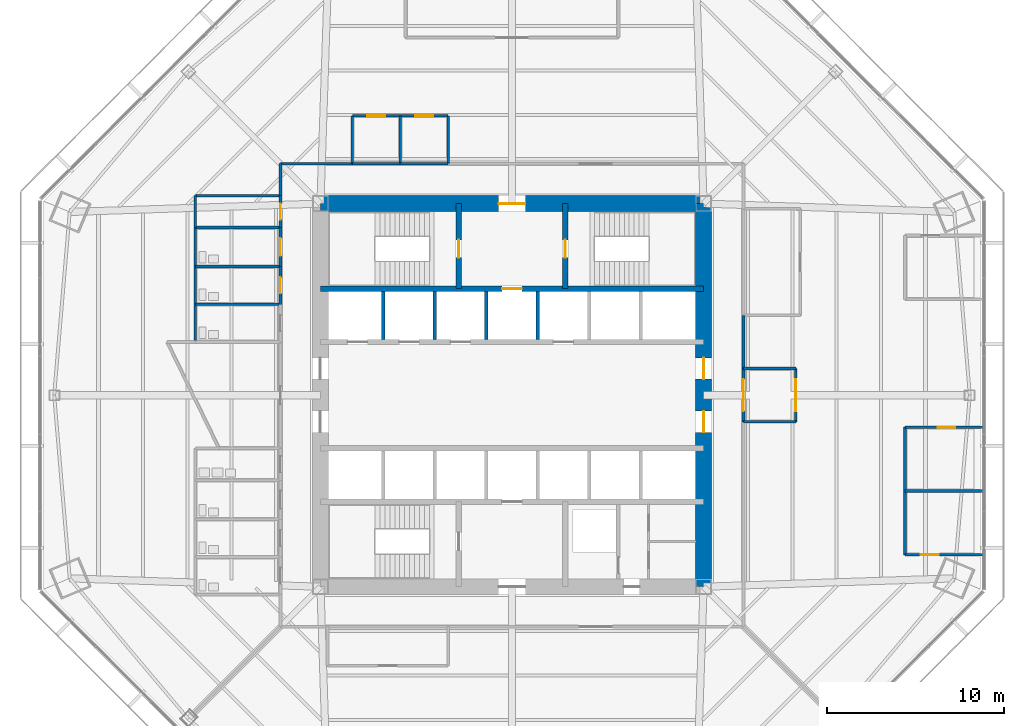
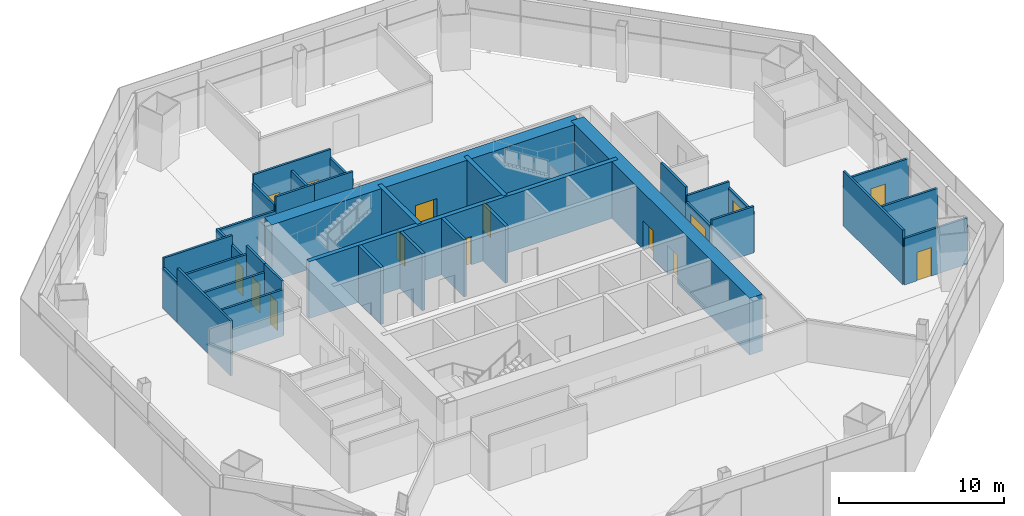
# One storey, part 9 of 13: 35 walls, 15 doors, 15 openings.
"""IFC4 building model written with IfcOpenShell, lengths in metres."""

from ifc_helpers import new_model, si_unit, direction, frame, frame_2d, origin, place, context, subcontext, project, spatial, rectangle, extrude, material, layer, layer_set, type_object, element, fill, save


model = new_model("IFC4")

# Units and contexts
model_context = context("Model", 3, precision=1e-05, world=origin(), true_north=direction((0.0, 1.0)))
body_context = subcontext(model_context, "Body", "Model", "MODEL_VIEW")
ifc_project = project(units=[si_unit("LENGTHUNIT", "METRE"), si_unit("AREAUNIT", "SQUARE_METRE"), si_unit("VOLUMEUNIT", "CUBIC_METRE"), si_unit("PLANEANGLEUNIT", "RADIAN"), si_unit("MASSUNIT", "GRAM", prefix="KILO")], contexts=[model_context])

# Site, building, storey
site_placement = place(None, origin())
site = spatial("IfcSite", under=ifc_project, at=site_placement, CompositionType="ELEMENT")
building_placement = place(site_placement, origin())
building = spatial("IfcBuilding", under=site, at=building_placement, Name="Mashrafa Tower", CompositionType="ELEMENT")
storey_placement = place(building_placement, frame((0.0, 0.0, 49.800048828125)))
storey = spatial("IfcBuildingStorey", under=building, at=storey_placement, Name="L10", CompositionType="ELEMENT", Elevation=49.800048828125)

# Wall, opening, door
ifc_material_1 = material(Name="Concrete C60/75", Category="concrete")
ifc_layer_1 = layer(ifc_material_1, 0.300048828125)
ifc_layer_set_1 = layer_set([ifc_layer_1], Name="Core wall 300 C60/75")
wall_type_1 = type_object("IfcWallType", Name="Core wall 300 C60/75", PredefinedType="SOLIDWALL", material=ifc_layer_set_1)
wall_1_placement = place(storey_placement, frame((-10.800048828125, 6.0, 0.0), z_axis=(0.0, 0.0, 1.0), x_axis=(1.0, 0.0, 0.0)))
wall_1 = element("IfcWall", 1, at=wall_1_placement, inside=storey, type_object=wall_type_1, Name="Core wall CB-N L10", PredefinedType="SOLIDWALL", context=body_context, shape_type="SweptSolid", body=[
    extrude(rectangle(XDim=21.60009765625, YDim=0.300048828125, at=frame_2d((10.800048828125, 0.0))), origin(), (0.0, 0.0, 1.0), 4.199951171875),
])
opening_1_placement = place(wall_1_placement, frame((10.25, 0.0, 0.0)))
opening_1 = element("IfcOpeningElement", 2, at=opening_1_placement, cuts=wall_1, Name="Opening 10.F1", PredefinedType="OPENING", context=body_context, shape_type="SweptSolid", body=[
    extrude(rectangle(XDim=1.10009765625, YDim=2.10009765625, at=frame_2d((0.550048828125, 1.050048828125))), frame((0.0, 0.159912109375, 0.0), z_axis=(0.0, -1.0, 0.0), x_axis=(1.0, 0.0, 0.0)), (0.0, 0.0, 1.0), 0.320068359375),
])
ifc_material_2 = material(Name="Steel door", Category="steel")
door_type_1 = type_object("IfcDoorType", Name="Lift landing door 1100 x 2100 90 min", OperationType="DOUBLE_DOOR_SLIDING", PredefinedType="DOOR", material=ifc_material_2)
door_1_placement = place(opening_1_placement, origin())
door_1 = element("IfcDoor", 3, at=door_1_placement, inside=storey, type_object=door_type_1, Name="Lift landing door F1 L10", OperationType="DOUBLE_DOOR_SLIDING", OverallHeight=2.10009765625, OverallWidth=1.10009765625, PredefinedType="DOOR", context=body_context, shape_type="SweptSolid", body=[
    extrude(rectangle(XDim=1.10009765625, YDim=2.10009765625, at=frame_2d((0.550048828125, 1.050048828125))), frame((0.0, 0.02490234375, 0.0), z_axis=(0.0, -1.0, 0.0), x_axis=(1.0, 0.0, 0.0)), (0.0, 0.0, 1.0), 0.050048828125),
])
fill(opening_1, door_1)

wall_2_placement = place(storey_placement, frame((-3.0, 6.0, 0.0), z_axis=(0.0, 0.0, 1.0), x_axis=(0.0, 1.0, 0.0)))
wall_2 = element("IfcWall", 4, at=wall_2_placement, inside=storey, type_object=wall_type_1, Name="Core wall CX-NW L10", PredefinedType="SOLIDWALL", context=body_context, shape_type="SweptSolid", body=[
    extrude(rectangle(XDim=4.800048828125, YDim=0.300048828125, at=frame_2d((2.39990234375, 0.0))), origin(), (0.0, 0.0, 1.0), 4.199951171875),
])
opening_2_placement = place(wall_2_placement, frame((1.75, 0.0, 0.0)))
opening_2 = element("IfcOpeningElement", 5, at=opening_2_placement, cuts=wall_2, Name="Opening 10.028", PredefinedType="OPENING", context=body_context, shape_type="SweptSolid", body=[
    extrude(rectangle(XDim=1.0, YDim=2.10009765625, at=frame_2d((0.5, 1.050048828125))), frame((0.0, 0.159912109375, 0.0), z_axis=(0.0, -1.0, 0.0), x_axis=(1.0, 0.0, 0.0)), (0.0, 0.0, 1.0), 0.320068359375),
])
ifc_material_3 = material(Name="Steel door", Category="steel")
door_type_2 = type_object("IfcDoorType", Name="Stair door 1000 x 2100 90 min", OperationType="USERDEFINED", PredefinedType="DOOR", material=ifc_material_3)
door_2_placement = place(opening_2_placement, origin())
door_2 = element("IfcDoor", 6, at=door_2_placement, inside=storey, type_object=door_type_2, Name="Stair S1 door L10", OperationType="SINGLE_SWING_LEFT", OverallHeight=2.10009765625, OverallWidth=1.0, PredefinedType="DOOR", context=body_context, shape_type="SweptSolid", body=[
    extrude(rectangle(XDim=1.0, YDim=2.10009765625, at=frame_2d((0.5, 1.050048828125))), frame((0.0, 0.02490234375, 0.0), z_axis=(0.0, -1.0, 0.0), x_axis=(1.0, 0.0, 0.0)), (0.0, 0.0, 1.0), 0.050048828125),
])
fill(opening_2, door_2)

wall_3_placement = place(storey_placement, frame((3.0, 6.0, 0.0), z_axis=(0.0, 0.0, 1.0), x_axis=(0.0, 1.0, 0.0)))
wall_3 = element("IfcWall", 7, at=wall_3_placement, inside=storey, type_object=wall_type_1, Name="Core wall CX-NE L10", PredefinedType="SOLIDWALL", context=body_context, shape_type="SweptSolid", body=[
    extrude(rectangle(XDim=4.800048828125, YDim=0.300048828125, at=frame_2d((2.39990234375, 0.0))), origin(), (0.0, 0.0, 1.0), 4.199951171875),
])
opening_3_placement = place(wall_3_placement, frame((1.75, 0.0, 0.0)))
opening_3 = element("IfcOpeningElement", 8, at=opening_3_placement, cuts=wall_3, Name="Opening 10.029", PredefinedType="OPENING", context=body_context, shape_type="SweptSolid", body=[
    extrude(rectangle(XDim=1.0, YDim=2.10009765625, at=frame_2d((0.5, 1.050048828125))), frame((0.0, 0.159912109375, 0.0), z_axis=(0.0, -1.0, 0.0), x_axis=(1.0, 0.0, 0.0)), (0.0, 0.0, 1.0), 0.320068359375),
])
door_3_placement = place(opening_3_placement, frame((1.0, 0.0, 0.0), z_axis=(0.0, 0.0, 1.0), x_axis=(-1.0, 0.0, 0.0)))
door_3 = element("IfcDoor", 9, at=door_3_placement, inside=storey, type_object=door_type_2, Name="Stair S2 door L10", OperationType="SINGLE_SWING_RIGHT", OverallHeight=2.10009765625, OverallWidth=1.0, PredefinedType="DOOR", context=body_context, shape_type="SweptSolid", body=[
    extrude(rectangle(XDim=1.0, YDim=2.10009765625, at=frame_2d((0.5, 1.050048828125))), frame((0.0, 0.02490234375, 0.0), z_axis=(0.0, -1.0, 0.0), x_axis=(1.0, 0.0, 0.0)), (0.0, 0.0, 1.0), 0.050048828125),
])
fill(opening_3, door_3)

# Wall, openings, doors
ifc_material_4 = material(Name="Concrete C60/75", Category="concrete")
ifc_layer_2 = layer(ifc_material_4, 0.89990234375)
ifc_layer_set_2 = layer_set([ifc_layer_2], Name="Core wall 900 C60/75")
wall_type_2 = type_object("IfcWallType", Name="Core wall 900 C60/75", PredefinedType="SOLIDWALL", material=ifc_layer_set_2)
wall_4_placement = place(storey_placement, frame((10.800048828125, -10.800048828125, 0.0), z_axis=(0.0, 0.0, 1.0), x_axis=(0.0, 1.0, 0.0)))
wall_4 = element("IfcWall", 10, at=wall_4_placement, inside=storey, type_object=wall_type_2, Name="Core wall CW-E L10", PredefinedType="SOLIDWALL", context=body_context, shape_type="SweptSolid", body=[
    extrude(rectangle(XDim=21.60009765625, YDim=0.89990234375, at=frame_2d((10.800048828125, 0.0))), origin(), (0.0, 0.0, 1.0), 4.199951171875),
])
opening_4_placement = place(wall_4_placement, frame((11.699951171875, 0.0, 0.0)))
opening_4 = element("IfcOpeningElement", 11, at=opening_4_placement, cuts=wall_4, Name="Opening 10.022", PredefinedType="OPENING", context=body_context, shape_type="SweptSolid", body=[
    extrude(rectangle(XDim=1.199951171875, YDim=2.10009765625, at=frame_2d((0.60009765625, 1.050048828125))), frame((0.0, 0.4599609375, 0.0), z_axis=(0.0, -1.0, 0.0), x_axis=(1.0, 0.0, 0.0)), (0.0, 0.0, 1.0), 0.919921875),
])
opening_5_placement = place(wall_4_placement, frame((8.699951171875, 0.0, 0.0)))
opening_5 = element("IfcOpeningElement", 12, at=opening_5_placement, cuts=wall_4, Name="Opening 10.024", PredefinedType="OPENING", context=body_context, shape_type="SweptSolid", body=[
    extrude(rectangle(XDim=1.199951171875, YDim=2.10009765625, at=frame_2d((0.60009765625, 1.050048828125))), frame((0.0, 0.4599609375, 0.0), z_axis=(0.0, -1.0, 0.0), x_axis=(1.0, 0.0, 0.0)), (0.0, 0.0, 1.0), 0.919921875),
])
ifc_material_5 = material(Name="Steel door", Category="steel")
door_type_3 = type_object("IfcDoorType", Name="Lift hall door 1200 x 2100 90 min", OperationType="USERDEFINED", PredefinedType="DOOR", material=ifc_material_5)
door_4_placement = place(opening_4_placement, frame((1.199951171875, 0.0, 0.0), z_axis=(0.0, 0.0, 1.0), x_axis=(-1.0, 0.0, 0.0)))
door_4 = element("IfcDoor", 13, at=door_4_placement, inside=storey, type_object=door_type_3, Name="Lift hall door east L10", OperationType="SINGLE_SWING_LEFT", OverallHeight=2.10009765625, OverallWidth=1.199951171875, PredefinedType="DOOR", context=body_context, shape_type="SweptSolid", body=[
    extrude(rectangle(XDim=1.199951171875, YDim=2.10009765625, at=frame_2d((0.60009765625, 1.050048828125))), frame((0.0, 0.02490234375, 0.0), z_axis=(0.0, -1.0, 0.0), x_axis=(1.0, 0.0, 0.0)), (0.0, 0.0, 1.0), 0.050048828125),
])
fill(opening_4, door_4)
door_5_placement = place(opening_5_placement, frame((1.199951171875, 0.0, 0.0), z_axis=(0.0, 0.0, 1.0), x_axis=(-1.0, 0.0, 0.0)))
door_5 = element("IfcDoor", 14, at=door_5_placement, inside=storey, type_object=door_type_3, Name="Lift hall door east L10", OperationType="SINGLE_SWING_RIGHT", OverallHeight=2.10009765625, OverallWidth=1.199951171875, PredefinedType="DOOR", context=body_context, shape_type="SweptSolid", body=[
    extrude(rectangle(XDim=1.199951171875, YDim=2.10009765625, at=frame_2d((0.60009765625, 1.050048828125))), frame((0.0, 0.02490234375, 0.0), z_axis=(0.0, -1.0, 0.0), x_axis=(1.0, 0.0, 0.0)), (0.0, 0.0, 1.0), 0.050048828125),
])
fill(opening_5, door_5)

# Wall, opening, door
wall_5_placement = place(storey_placement, frame((10.800048828125, 10.800048828125, 0.0), z_axis=(0.0, 0.0, 1.0), x_axis=(-1.0, 0.0, 0.0)))
wall_5 = element("IfcWall", 15, at=wall_5_placement, inside=storey, type_object=wall_type_2, Name="Core wall CW-N L10", PredefinedType="SOLIDWALL", context=body_context, shape_type="SweptSolid", body=[
    extrude(rectangle(XDim=21.60009765625, YDim=0.89990234375, at=frame_2d((10.800048828125, 0.0))), origin(), (0.0, 0.0, 1.0), 4.199951171875),
])
opening_6_placement = place(wall_5_placement, frame((10.050048828125, 0.0, 0.0)))
opening_6 = element("IfcOpeningElement", 16, at=opening_6_placement, cuts=wall_5, Name="Opening 10.026", PredefinedType="OPENING", context=body_context, shape_type="SweptSolid", body=[
    extrude(rectangle(XDim=1.5, YDim=2.10009765625, at=frame_2d((0.75, 1.050048828125))), frame((0.0, 0.4599609375, 0.0), z_axis=(0.0, -1.0, 0.0), x_axis=(1.0, 0.0, 0.0)), (0.0, 0.0, 1.0), 0.919921875),
])
ifc_material_6 = material(Name="Steel door", Category="steel")
door_type_4 = type_object("IfcDoorType", Name="Lobby door pair 1500 x 2100 90 min", OperationType="DOUBLE_DOOR_SINGLE_SWING", PredefinedType="DOOR", material=ifc_material_6)
door_6_placement = place(opening_6_placement, origin())
door_6 = element("IfcDoor", 17, at=door_6_placement, inside=storey, type_object=door_type_4, Name="Fire-fighting lobby F1 door L10", OperationType="DOUBLE_DOOR_SINGLE_SWING", OverallHeight=2.10009765625, OverallWidth=1.5, PredefinedType="DOOR", context=body_context, shape_type="SweptSolid", body=[
    extrude(rectangle(XDim=1.5, YDim=2.10009765625, at=frame_2d((0.75, 1.050048828125))), frame((0.0, 0.02490234375, 0.0), z_axis=(0.0, -1.0, 0.0), x_axis=(1.0, 0.0, 0.0)), (0.0, 0.0, 1.0), 0.050048828125),
])
fill(opening_6, door_6)

ifc_material_7 = material(Name="Gypsum board on steel studs", Category="steel")
ifc_layer_3 = layer(ifc_material_7, 0.14990234375)
ifc_layer_set_3 = layer_set([ifc_layer_3], Name="Corridor partition 150 1 hr")
wall_type_3 = type_object("IfcWallType", Name="Corridor partition 150 1 hr", PredefinedType="PARTITIONING", material=ifc_layer_set_3)
wall_6_placement = place(storey_placement, frame((-13.050048828125, 7.2509765625, 0.0), z_axis=(0.0, 0.0, 1.0), x_axis=(0.0, -1.0, 0.0)))
wall_6 = element("IfcWall", 18, at=wall_6_placement, inside=storey, type_object=wall_type_3, Name="Corridor wall L10-002", PredefinedType="PARTITIONING", context=body_context, shape_type="SweptSolid", body=[
    extrude(rectangle(XDim=2.126953125, YDim=0.14990234375, at=frame_2d((1.0634765625, 0.0))), origin(), (0.0, 0.0, 1.0), 4.034912109375),
])
opening_7_placement = place(wall_6_placement, frame((0.613525390625, 0.0, 0.0)))
opening_7 = element("IfcOpeningElement", 19, at=opening_7_placement, cuts=wall_6, Name="Opening 10.002", PredefinedType="OPENING", context=body_context, shape_type="SweptSolid", body=[
    extrude(rectangle(XDim=0.89990234375, YDim=2.10009765625, at=frame_2d((0.449951171875, 1.050048828125))), frame((0.0, 0.0849609375, 0.0), z_axis=(0.0, -1.0, 0.0), x_axis=(1.0, 0.0, 0.0)), (0.0, 0.0, 1.0), 0.169921875),
])
ifc_material_8 = material(Name="Timber door", Category="wood")
door_type_5 = type_object("IfcDoorType", Name="Toilet door 900 x 2100", OperationType="USERDEFINED", PredefinedType="DOOR", material=ifc_material_8)
door_7_placement = place(opening_7_placement, frame((0.89990234375, 0.0, 0.0), z_axis=(0.0, 0.0, 1.0), x_axis=(-1.0, 0.0, 0.0)))
door_7 = element("IfcDoor", 20, at=door_7_placement, inside=storey, type_object=door_type_5, Name="WC Male L10 N door", OperationType="SINGLE_SWING_LEFT", OverallHeight=2.10009765625, OverallWidth=0.89990234375, PredefinedType="DOOR", context=body_context, shape_type="SweptSolid", body=[
    extrude(rectangle(XDim=0.89990234375, YDim=2.10009765625, at=frame_2d((0.449951171875, 1.050048828125))), frame((0.0, 0.02490234375, 0.0), z_axis=(0.0, -1.0, 0.0), x_axis=(1.0, 0.0, 0.0)), (0.0, 0.0, 1.0), 0.050048828125),
])
fill(opening_7, door_7)

wall_7_placement = place(storey_placement, frame((-13.050048828125, 9.450927734375, 0.0), z_axis=(0.0, 0.0, 1.0), x_axis=(0.0, -1.0, 0.0)))
wall_7 = element("IfcWall", 21, at=wall_7_placement, inside=storey, type_object=wall_type_3, Name="Corridor wall L10-003", PredefinedType="PARTITIONING", context=body_context, shape_type="SweptSolid", body=[
    extrude(rectangle(XDim=2.201904296875, YDim=0.14990234375, at=frame_2d((1.10107421875, 0.0))), origin(), (0.0, 0.0, 1.0), 4.034912109375),
])
opening_8_placement = place(wall_7_placement, frame((0.60107421875, 0.0, 0.0)))
opening_8 = element("IfcOpeningElement", 22, at=opening_8_placement, cuts=wall_7, Name="Opening 10.003", PredefinedType="OPENING", context=body_context, shape_type="SweptSolid", body=[
    extrude(rectangle(XDim=1.0, YDim=2.10009765625, at=frame_2d((0.5, 1.050048828125))), frame((0.0, 0.0849609375, 0.0), z_axis=(0.0, -1.0, 0.0), x_axis=(1.0, 0.0, 0.0)), (0.0, 0.0, 1.0), 0.169921875),
])
ifc_material_9 = material(Name="Timber door", Category="wood")
door_type_6 = type_object("IfcDoorType", Name="Accessible toilet door 1000 x 2100", OperationType="USERDEFINED", PredefinedType="DOOR", material=ifc_material_9)
door_8_placement = place(opening_8_placement, frame((1.0, 0.0, 0.0), z_axis=(0.0, 0.0, 1.0), x_axis=(-1.0, 0.0, 0.0)))
door_8 = element("IfcDoor", 23, at=door_8_placement, inside=storey, type_object=door_type_6, Name="Accessible WC L10 N door", OperationType="SINGLE_SWING_RIGHT", OverallHeight=2.10009765625, OverallWidth=1.0, PredefinedType="DOOR", context=body_context, shape_type="SweptSolid", body=[
    extrude(rectangle(XDim=1.0, YDim=2.10009765625, at=frame_2d((0.5, 1.050048828125))), frame((0.0, 0.02490234375, 0.0), z_axis=(0.0, -1.0, 0.0), x_axis=(1.0, 0.0, 0.0)), (0.0, 0.0, 1.0), 0.050048828125),
])
fill(opening_8, door_8)

wall_8_placement = place(storey_placement, frame((-13.050048828125, 11.2509765625, 0.0), z_axis=(0.0, 0.0, 1.0), x_axis=(0.0, -1.0, 0.0)))
wall_8 = element("IfcWall", 24, at=wall_8_placement, inside=storey, type_object=wall_type_3, Name="Corridor wall L10-004", PredefinedType="PARTITIONING", context=body_context, shape_type="SweptSolid", body=[
    extrude(rectangle(XDim=1.802001953125, YDim=0.14990234375, at=frame_2d((0.90087890625, 0.0))), origin(), (0.0, 0.0, 1.0), 3.01416015625),
])
opening_9_placement = place(wall_8_placement, frame((0.450927734375, 0.0, 0.0)))
opening_9 = element("IfcOpeningElement", 25, at=opening_9_placement, cuts=wall_8, Name="Opening 10.004", PredefinedType="OPENING", context=body_context, shape_type="SweptSolid", body=[
    extrude(rectangle(XDim=0.89990234375, YDim=2.10009765625, at=frame_2d((0.449951171875, 1.050048828125))), frame((0.0, 0.0849609375, 0.0), z_axis=(0.0, -1.0, 0.0), x_axis=(1.0, 0.0, 0.0)), (0.0, 0.0, 1.0), 0.169921875),
])
ifc_material_10 = material(Name="Timber door", Category="wood")
door_type_7 = type_object("IfcDoorType", Name="Store door 900 x 2100", OperationType="USERDEFINED", PredefinedType="DOOR", material=ifc_material_10)
door_9_placement = place(opening_9_placement, frame((0.89990234375, 0.0, 0.0), z_axis=(0.0, 0.0, 1.0), x_axis=(-1.0, 0.0, 0.0)))
door_9 = element("IfcDoor", 26, at=door_9_placement, inside=storey, type_object=door_type_7, Name="Cleaner's Store L10 N door", OperationType="SINGLE_SWING_LEFT", OverallHeight=2.10009765625, OverallWidth=0.89990234375, PredefinedType="DOOR", context=body_context, shape_type="SweptSolid", body=[
    extrude(rectangle(XDim=0.89990234375, YDim=2.10009765625, at=frame_2d((0.449951171875, 1.050048828125))), frame((0.0, 0.02490234375, 0.0), z_axis=(0.0, -1.0, 0.0), x_axis=(1.0, 0.0, 0.0)), (0.0, 0.0, 1.0), 0.050048828125),
])
fill(opening_9, door_9)

# Walls
for number, where, z_axis, x_axis, name in (
    (27, (-3.59912109375, 13.050048828125, 0.0), (0.0, 0.0, 1.0), (-1.0, 0.0, 0.0), "Corridor wall L10-012"),
    (28, (-6.299072265625, 13.050048828125, 0.0), (0.0, 0.0, 1.0), (-1.0, 0.0, 0.0), "Corridor wall L10-013"),
):
    element("IfcWall", number, at=place(storey_placement, frame(where, z_axis=z_axis, x_axis=x_axis)), inside=storey, type_object=wall_type_3, Name=name, PredefinedType="PARTITIONING", context=body_context, shape_type="SweptSolid", body=[
        extrude(rectangle(XDim=2.701904296875, YDim=0.14990234375, at=frame_2d((1.35107421875, 0.0))), origin(), (0.0, 0.0, 1.0), 4.034912109375),
    ])

# Wall, opening, door
wall_9_placement = place(storey_placement, frame((13.050048828125, -1.5009765625, 0.0), z_axis=(0.0, 0.0, 1.0), x_axis=(0.0, 1.0, 0.0)))
wall_9 = element("IfcWall", 29, at=wall_9_placement, inside=storey, type_object=wall_type_3, Name="Corridor wall L10-014", PredefinedType="PARTITIONING", context=body_context, shape_type="SweptSolid", body=[
    extrude(rectangle(XDim=3.001953125, YDim=0.14990234375, at=frame_2d((1.5009765625, 0.0))), origin(), (0.0, 0.0, 1.0), 2.983642578125),
])
opening_10_placement = place(wall_9_placement, frame((0.60107421875, 0.0, 0.0)))
opening_10 = element("IfcOpeningElement", 30, at=opening_10_placement, cuts=wall_9, Name="Opening 10.018", PredefinedType="OPENING", context=body_context, shape_type="SweptSolid", body=[
    extrude(rectangle(XDim=1.800048828125, YDim=2.39990234375, at=frame_2d((0.89990234375, 1.199951171875))), frame((0.0, 0.0849609375, 0.0), z_axis=(0.0, -1.0, 0.0), x_axis=(1.0, 0.0, 0.0)), (0.0, 0.0, 1.0), 0.169921875),
])
ifc_material_11 = material(Name="Steel door", Category="steel")
door_type_8 = type_object("IfcDoorType", Name="Door pair 1800 x 2400 90 min", OperationType="DOUBLE_DOOR_SINGLE_SWING", PredefinedType="DOOR", material=ifc_material_11)
door_10_placement = place(opening_10_placement, origin())
door_10 = element("IfcDoor", 31, at=door_10_placement, inside=storey, type_object=door_type_8, Name="Trading Floor Entrance Lobby 10 door", OperationType="DOUBLE_DOOR_SINGLE_SWING", OverallHeight=2.39990234375, OverallWidth=1.800048828125, PredefinedType="DOOR", context=body_context, shape_type="SweptSolid", body=[
    extrude(rectangle(XDim=1.800048828125, YDim=2.39990234375, at=frame_2d((0.89990234375, 1.199951171875))), frame((0.0, 0.02490234375, 0.0), z_axis=(0.0, -1.0, 0.0), x_axis=(1.0, 0.0, 0.0)), (0.0, 0.0, 1.0), 0.050048828125),
])
fill(opening_10, door_10)

# Walls
wall_10_placement = place(storey_placement, frame((-8.9990234375, 13.050048828125, 0.0), z_axis=(0.0, 0.0, 1.0), x_axis=(-1.0, 0.0, 0.0)))
element("IfcWall", 32, at=wall_10_placement, inside=storey, type_object=wall_type_3, Name="Corridor wall L10-016", PredefinedType="PARTITIONING", context=body_context, shape_type="SweptSolid", body=[
    extrude(rectangle(XDim=4.051025390625, YDim=0.14990234375, at=frame_2d((2.025390625, 0.0))), origin(), (0.0, 0.0, 1.0), 3.01416015625),
])
wall_11_placement = place(storey_placement, frame((-13.050048828125, 13.050048828125, 0.0), z_axis=(0.0, 0.0, 1.0), x_axis=(0.0, -1.0, 0.0)))
element("IfcWall", 33, at=wall_11_placement, inside=storey, type_object=wall_type_3, Name="Corridor wall L10-017", PredefinedType="PARTITIONING", context=body_context, shape_type="SweptSolid", body=[
    extrude(rectangle(XDim=1.801025390625, YDim=0.14990234375, at=frame_2d((0.900390625, 0.0))), origin(), (0.0, 0.0, 1.0), 3.097900390625),
])
wall_12_placement = place(storey_placement, frame((13.050048828125, 1.4990234375, 0.0), z_axis=(0.0, 0.0, 1.0), x_axis=(0.0, 1.0, 0.0)))
element("IfcWall", 34, at=wall_12_placement, inside=storey, type_object=wall_type_3, Name="Corridor wall L10-021", PredefinedType="PARTITIONING", context=body_context, shape_type="SweptSolid", body=[
    extrude(rectangle(XDim=3.001953125, YDim=0.14990234375, at=frame_2d((1.5009765625, 0.0))), origin(), (0.0, 0.0, 1.0), 4.034912109375),
])
wall_13_placement = place(storey_placement, frame((13.050048828125, -1.5, 0.0), z_axis=(0.0, 0.0, 1.0), x_axis=(1.0, 0.0, 0.0)))
element("IfcWall", 35, at=wall_13_placement, inside=storey, type_object=wall_type_3, Name="Corridor wall L10-067", PredefinedType="PARTITIONING", context=body_context, shape_type="SweptSolid", body=[
    extrude(rectangle(XDim=2.949951171875, YDim=0.14990234375, at=frame_2d((1.47509765625, 0.0))), origin(), (0.0, 0.0, 1.0), 3.4228515625),
])

# Wall, opening, door
wall_14_placement = place(storey_placement, frame((16.0, -1.5, 0.0), z_axis=(0.0, 0.0, 1.0), x_axis=(0.0, 1.0, 0.0)))
wall_14 = element("IfcWall", 36, at=wall_14_placement, inside=storey, type_object=wall_type_3, Name="Corridor wall L10-068", PredefinedType="PARTITIONING", context=body_context, shape_type="SweptSolid", body=[
    extrude(rectangle(XDim=3.0, YDim=0.14990234375, at=frame_2d((1.5, 0.0))), origin(), (0.0, 0.0, 1.0), 2.983642578125),
])
opening_11_placement = place(wall_14_placement, frame((0.60009765625, 0.0, 0.0)))
opening_11 = element("IfcOpeningElement", 37, at=opening_11_placement, cuts=wall_14, Name="Opening 10.019", PredefinedType="OPENING", context=body_context, shape_type="SweptSolid", body=[
    extrude(rectangle(XDim=1.800048828125, YDim=2.39990234375, at=frame_2d((0.89990234375, 1.199951171875))), frame((0.0, 0.0849609375, 0.0), z_axis=(0.0, -1.0, 0.0), x_axis=(1.0, 0.0, 0.0)), (0.0, 0.0, 1.0), 0.169921875),
])
door_11_placement = place(opening_11_placement, frame((1.800048828125, 0.0, 0.0), z_axis=(0.0, 0.0, 1.0), x_axis=(-1.0, 0.0, 0.0)))
door_11 = element("IfcDoor", 38, at=door_11_placement, inside=storey, type_object=door_type_8, Name="Trading Floor Entrance Lobby 10 door", OperationType="DOUBLE_DOOR_SINGLE_SWING", OverallHeight=2.39990234375, OverallWidth=1.800048828125, PredefinedType="DOOR", context=body_context, shape_type="SweptSolid", body=[
    extrude(rectangle(XDim=1.800048828125, YDim=2.39990234375, at=frame_2d((0.89990234375, 1.199951171875))), frame((0.0, 0.02490234375, 0.0), z_axis=(0.0, -1.0, 0.0), x_axis=(1.0, 0.0, 0.0)), (0.0, 0.0, 1.0), 0.050048828125),
])
fill(opening_11, door_11)

# Walls
wall_15_placement = place(storey_placement, frame((16.0, 1.5, 0.0), z_axis=(0.0, 0.0, 1.0), x_axis=(-1.0, 0.0, 0.0)))
element("IfcWall", 39, at=wall_15_placement, inside=storey, type_object=wall_type_3, Name="Corridor wall L10-069", PredefinedType="PARTITIONING", context=body_context, shape_type="SweptSolid", body=[
    extrude(rectangle(XDim=2.949951171875, YDim=0.14990234375, at=frame_2d((1.47509765625, 0.0))), origin(), (0.0, 0.0, 1.0), 3.4228515625),
])
ifc_material_12 = material(Name="Gypsum board on steel studs", Category="steel")
ifc_layer_4 = layer(ifc_material_12, 0.14990234375)
ifc_layer_set_4 = layer_set([ifc_layer_4], Name="Partition 150")
wall_type_4 = type_object("IfcWallType", Name="Partition 150", PredefinedType="PARTITIONING", material=ifc_layer_set_4)
wall_16_placement = place(storey_placement, frame((-13.050048828125, 5.125, 0.0), z_axis=(0.0, 0.0, 1.0), x_axis=(-1.0, 0.0, 0.0)))
element("IfcWall", 40, at=wall_16_placement, inside=storey, type_object=wall_type_4, Name="Partition wall L10-024", PredefinedType="PARTITIONING", context=body_context, shape_type="SweptSolid", body=[
    extrude(rectangle(XDim=4.800048828125, YDim=0.14990234375, at=frame_2d((2.39990234375, 0.0))), origin(), (0.0, 0.0, 1.0), 3.4228515625),
])
wall_17_placement = place(storey_placement, frame((-17.85009765625, 3.0, 0.0), z_axis=(0.0, 0.0, 1.0), x_axis=(0.0, 1.0, 0.0)))
element("IfcWall", 41, at=wall_17_placement, inside=storey, type_object=wall_type_4, Name="Partition wall L10-026", PredefinedType="PARTITIONING", context=body_context, shape_type="SweptSolid", body=[
    extrude(rectangle(XDim=6.449951171875, YDim=0.14990234375, at=frame_2d((3.22509765625, 0.0))), origin(), (0.0, 0.0, 1.0), 4.034912109375),
])
for number, where, z_axis, x_axis, name in (
    (42, (-13.050048828125, 7.25, 0.0), (0.0, 0.0, 1.0), (-1.0, 0.0, 0.0), "Partition wall L10-027"),
    (43, (-13.050048828125, 9.449951171875, 0.0), (0.0, 0.0, 1.0), (-1.0, 0.0, 0.0), "Partition wall L10-029"),
):
    element("IfcWall", number, at=place(storey_placement, frame(where, z_axis=z_axis, x_axis=x_axis)), inside=storey, type_object=wall_type_4, Name=name, PredefinedType="PARTITIONING", context=body_context, shape_type="SweptSolid", body=[
        extrude(rectangle(XDim=4.800048828125, YDim=0.14990234375, at=frame_2d((2.39990234375, 0.0))), origin(), (0.0, 0.0, 1.0), 3.4228515625),
    ])
wall_18_placement = place(storey_placement, frame((-13.050048828125, 11.25, 0.0), z_axis=(0.0, 0.0, 1.0), x_axis=(-1.0, 0.0, 0.0)))
element("IfcWall", 44, at=wall_18_placement, inside=storey, type_object=wall_type_4, Name="Partition wall L10-031", PredefinedType="PARTITIONING", context=body_context, shape_type="SweptSolid", body=[
    extrude(rectangle(XDim=4.800048828125, YDim=0.14990234375, at=frame_2d((2.39990234375, 0.0))), origin(), (0.0, 0.0, 1.0), 3.715087890625),
])
wall_19_placement = place(storey_placement, frame((-17.85009765625, 11.25, 0.0), z_axis=(0.0, 0.0, 1.0), x_axis=(0.0, -1.0, 0.0)))
element("IfcWall", 45, at=wall_19_placement, inside=storey, type_object=wall_type_4, Name="Partition wall L10-032", PredefinedType="PARTITIONING", context=body_context, shape_type="SweptSolid", body=[
    extrude(rectangle(XDim=1.800048828125, YDim=0.14990234375, at=frame_2d((0.89990234375, 0.0))), origin(), (0.0, 0.0, 1.0), 3.01416015625),
])
wall_20_placement = place(storey_placement, frame((26.587890625, -5.39990234375, 0.0), z_axis=(0.0, 0.0, 1.0), x_axis=(-1.0, 0.0, 0.0)))
element("IfcWall", 46, at=wall_20_placement, inside=storey, type_object=wall_type_4, Name="Partition wall L10-045", PredefinedType="PARTITIONING", context=body_context, shape_type="SweptSolid", body=[
    extrude(rectangle(XDim=4.431884765625, YDim=0.14990234375, at=frame_2d((2.2158203125, 0.0))), origin(), (0.0, 0.0, 1.0), 3.41796875),
])
wall_21_placement = place(storey_placement, frame((22.156005859375, -9.0, 0.0), z_axis=(0.0, 0.0, 1.0), x_axis=(0.0, 1.0, 0.0)))
element("IfcWall", 47, at=wall_21_placement, inside=storey, type_object=wall_type_4, Name="Partition wall L10-046", PredefinedType="PARTITIONING", context=body_context, shape_type="SweptSolid", body=[
    extrude(rectangle(XDim=7.199951171875, YDim=0.14990234375, at=frame_2d((3.60009765625, 0.0))), origin(), (0.0, 0.0, 1.0), 4.034912109375),
])

# Wall, opening, door
wall_22_placement = place(storey_placement, frame((22.156005859375, -9.0, 0.0), z_axis=(0.0, 0.0, 1.0), x_axis=(1.0, 0.0, 0.0)))
wall_22 = element("IfcWall", 48, at=wall_22_placement, inside=storey, type_object=wall_type_4, Name="Partition wall L10-047", PredefinedType="PARTITIONING", context=body_context, shape_type="SweptSolid", body=[
    extrude(rectangle(XDim=4.433837890625, YDim=0.14990234375, at=frame_2d((2.216796875, 0.0))), origin(), (0.0, 0.0, 1.0), 3.41796875),
])
opening_12_placement = place(wall_22_placement, frame((0.89990234375, 0.0, 0.0)))
opening_12 = element("IfcOpeningElement", 49, at=opening_12_placement, cuts=wall_22, Name="Opening 10.010", PredefinedType="OPENING", context=body_context, shape_type="SweptSolid", body=[
    extrude(rectangle(XDim=1.0, YDim=2.10009765625, at=frame_2d((0.5, 1.050048828125))), frame((0.0, 0.0849609375, 0.0), z_axis=(0.0, -1.0, 0.0), x_axis=(1.0, 0.0, 0.0)), (0.0, 0.0, 1.0), 0.169921875),
])
ifc_material_13 = material(Name="Timber door", Category="wood")
door_type_9 = type_object("IfcDoorType", Name="Door 1000 x 2100", OperationType="USERDEFINED", PredefinedType="DOOR", material=ifc_material_13)
door_12_placement = place(opening_12_placement, origin())
door_12 = element("IfcDoor", 50, at=door_12_placement, inside=storey, type_object=door_type_9, Name="Meeting Room 10-1 door", OperationType="SINGLE_SWING_LEFT", OverallHeight=2.10009765625, OverallWidth=1.0, PredefinedType="DOOR", context=body_context, shape_type="SweptSolid", body=[
    extrude(rectangle(XDim=1.0, YDim=2.10009765625, at=frame_2d((0.5, 1.050048828125))), frame((0.0, 0.02490234375, 0.0), z_axis=(0.0, -1.0, 0.0), x_axis=(1.0, 0.0, 0.0)), (0.0, 0.0, 1.0), 0.050048828125),
])
fill(opening_12, door_12)

wall_23_placement = place(storey_placement, frame((26.58984375, -1.800048828125, 0.0), z_axis=(0.0, 0.0, 1.0), x_axis=(-1.0, 0.0, 0.0)))
wall_23 = element("IfcWall", 51, at=wall_23_placement, inside=storey, type_object=wall_type_4, Name="Partition wall L10-048", PredefinedType="PARTITIONING", context=body_context, shape_type="SweptSolid", body=[
    extrude(rectangle(XDim=4.433837890625, YDim=0.14990234375, at=frame_2d((2.216796875, 0.0))), origin(), (0.0, 0.0, 1.0), 3.41796875),
])
opening_13_placement = place(wall_23_placement, frame((1.59912109375, 0.0, 0.0)))
opening_13 = element("IfcOpeningElement", 52, at=opening_13_placement, cuts=wall_23, Name="Opening 10.011", PredefinedType="OPENING", context=body_context, shape_type="SweptSolid", body=[
    extrude(rectangle(XDim=1.0, YDim=2.10009765625, at=frame_2d((0.5, 1.050048828125))), frame((0.0, 0.0849609375, 0.0), z_axis=(0.0, -1.0, 0.0), x_axis=(1.0, 0.0, 0.0)), (0.0, 0.0, 1.0), 0.169921875),
])
door_13_placement = place(opening_13_placement, origin())
door_13 = element("IfcDoor", 53, at=door_13_placement, inside=storey, type_object=door_type_9, Name="Meeting Room 10-2 door", OperationType="SINGLE_SWING_LEFT", OverallHeight=2.10009765625, OverallWidth=1.0, PredefinedType="DOOR", context=body_context, shape_type="SweptSolid", body=[
    extrude(rectangle(XDim=1.0, YDim=2.10009765625, at=frame_2d((0.5, 1.050048828125))), frame((0.0, 0.02490234375, 0.0), z_axis=(0.0, -1.0, 0.0), x_axis=(1.0, 0.0, 0.0)), (0.0, 0.0, 1.0), 0.050048828125),
])
fill(opening_13, door_13)

# Walls
for number, where, z_axis, x_axis, name in (
    (54, (-6.300048828125, 15.75, 0.0), (0.0, 0.0, 1.0), (0.0, -1.0, 0.0), "Partition wall L10-062"),
    (55, (-3.60009765625, 13.050048828125, 0.0), (0.0, 0.0, 1.0), (0.0, 1.0, 0.0), "Partition wall L10-063"),
):
    element("IfcWall", number, at=place(storey_placement, frame(where, z_axis=z_axis, x_axis=x_axis)), inside=storey, type_object=wall_type_4, Name=name, PredefinedType="PARTITIONING", context=body_context, shape_type="SweptSolid", body=[
        extrude(rectangle(XDim=2.699951171875, YDim=0.14990234375, at=frame_2d((1.35009765625, 0.0))), origin(), (0.0, 0.0, 1.0), 3.4228515625),
    ])

# Wall, openings, doors
wall_24_placement = place(storey_placement, frame((-3.60009765625, 15.75, 0.0), z_axis=(0.0, 0.0, 1.0), x_axis=(-1.0, 0.0, 0.0)))
wall_24 = element("IfcWall", 56, at=wall_24_placement, inside=storey, type_object=wall_type_4, Name="Partition wall L10-064", PredefinedType="PARTITIONING", context=body_context, shape_type="SweptSolid", body=[
    extrude(rectangle(XDim=5.39990234375, YDim=0.14990234375, at=frame_2d((2.699951171875, 0.0))), origin(), (0.0, 0.0, 1.0), 4.034912109375),
])
opening_14_placement = place(wall_24_placement, frame((0.85009765625, 0.0, 0.0)))
opening_14 = element("IfcOpeningElement", 57, at=opening_14_placement, cuts=wall_24, Name="Opening 10.016", PredefinedType="OPENING", context=body_context, shape_type="SweptSolid", body=[
    extrude(rectangle(XDim=1.0, YDim=2.10009765625, at=frame_2d((0.5, 1.050048828125))), frame((0.0, 0.0849609375, 0.0), z_axis=(0.0, -1.0, 0.0), x_axis=(1.0, 0.0, 0.0)), (0.0, 0.0, 1.0), 0.169921875),
])
opening_15_placement = place(wall_24_placement, frame((3.550048828125, 0.0, 0.0)))
opening_15 = element("IfcOpeningElement", 58, at=opening_15_placement, cuts=wall_24, Name="Opening 10.017", PredefinedType="OPENING", context=body_context, shape_type="SweptSolid", body=[
    extrude(rectangle(XDim=1.0, YDim=2.10009765625, at=frame_2d((0.5, 1.050048828125))), frame((0.0, 0.0849609375, 0.0), z_axis=(0.0, -1.0, 0.0), x_axis=(1.0, 0.0, 0.0)), (0.0, 0.0, 1.0), 0.169921875),
])
door_14_placement = place(opening_14_placement, origin())
door_14 = element("IfcDoor", 59, at=door_14_placement, inside=storey, type_object=door_type_9, Name="Quiet Room 10-1 door", OperationType="SINGLE_SWING_LEFT", OverallHeight=2.10009765625, OverallWidth=1.0, PredefinedType="DOOR", context=body_context, shape_type="SweptSolid", body=[
    extrude(rectangle(XDim=1.0, YDim=2.10009765625, at=frame_2d((0.5, 1.050048828125))), frame((0.0, 0.02490234375, 0.0), z_axis=(0.0, -1.0, 0.0), x_axis=(1.0, 0.0, 0.0)), (0.0, 0.0, 1.0), 0.050048828125),
])
fill(opening_14, door_14)
door_15_placement = place(opening_15_placement, origin())
door_15 = element("IfcDoor", 60, at=door_15_placement, inside=storey, type_object=door_type_9, Name="Quiet Room 10-2 door", OperationType="SINGLE_SWING_LEFT", OverallHeight=2.10009765625, OverallWidth=1.0, PredefinedType="DOOR", context=body_context, shape_type="SweptSolid", body=[
    extrude(rectangle(XDim=1.0, YDim=2.10009765625, at=frame_2d((0.5, 1.050048828125))), frame((0.0, 0.02490234375, 0.0), z_axis=(0.0, -1.0, 0.0), x_axis=(1.0, 0.0, 0.0)), (0.0, 0.0, 1.0), 0.050048828125),
])
fill(opening_15, door_15)

# Walls
wall_25_placement = place(storey_placement, frame((-9.0, 15.75, 0.0), z_axis=(0.0, 0.0, 1.0), x_axis=(0.0, -1.0, 0.0)))
element("IfcWall", 61, at=wall_25_placement, inside=storey, type_object=wall_type_4, Name="Partition wall L10-066", PredefinedType="PARTITIONING", context=body_context, shape_type="SweptSolid", body=[
    extrude(rectangle(XDim=2.699951171875, YDim=0.14990234375, at=frame_2d((1.35009765625, 0.0))), origin(), (0.0, 0.0, 1.0), 3.4228515625),
])
ifc_material_14 = material(Name="Gypsum shaft wall on steel studs", Category="steel")
ifc_layer_5 = layer(ifc_material_14, 0.199951171875)
ifc_layer_set_5 = layer_set([ifc_layer_5], Name="Shaft divider wall 200 2 hr")
wall_type_5 = type_object("IfcWallType", Name="Shaft divider wall 200 2 hr", PredefinedType="PARTITIONING", material=ifc_layer_set_5)
for number, where, z_axis, x_axis, name in (
    (62, (-7.25, 3.14990234375, 0.0), (0.0, 0.0, 1.0), (0.0, 1.0, 0.0), "Shaft divider wall N1 L10"),
    (63, (-4.35009765625, 3.14990234375, 0.0), (0.0, 0.0, 1.0), (0.0, 1.0, 0.0), "Shaft divider wall N2 L10"),
    (64, (-1.449951171875, 3.14990234375, 0.0), (0.0, 0.0, 1.0), (0.0, 1.0, 0.0), "Shaft divider wall N3 L10"),
    (65, (1.449951171875, 3.14990234375, 0.0), (0.0, 0.0, 1.0), (0.0, 1.0, 0.0), "Shaft divider wall N4 L10"),
):
    element("IfcWall", number, at=place(storey_placement, frame(where, z_axis=z_axis, x_axis=x_axis)), inside=storey, type_object=wall_type_5, Name=name, PredefinedType="PARTITIONING", context=body_context, shape_type="SweptSolid", body=[
        extrude(rectangle(XDim=2.7001953125, YDim=0.199951171875, at=frame_2d((1.35009765625, 0.0))), origin(), (0.0, 0.0, 1.0), 4.199951171875),
    ])

save(model, "model.ifc")
